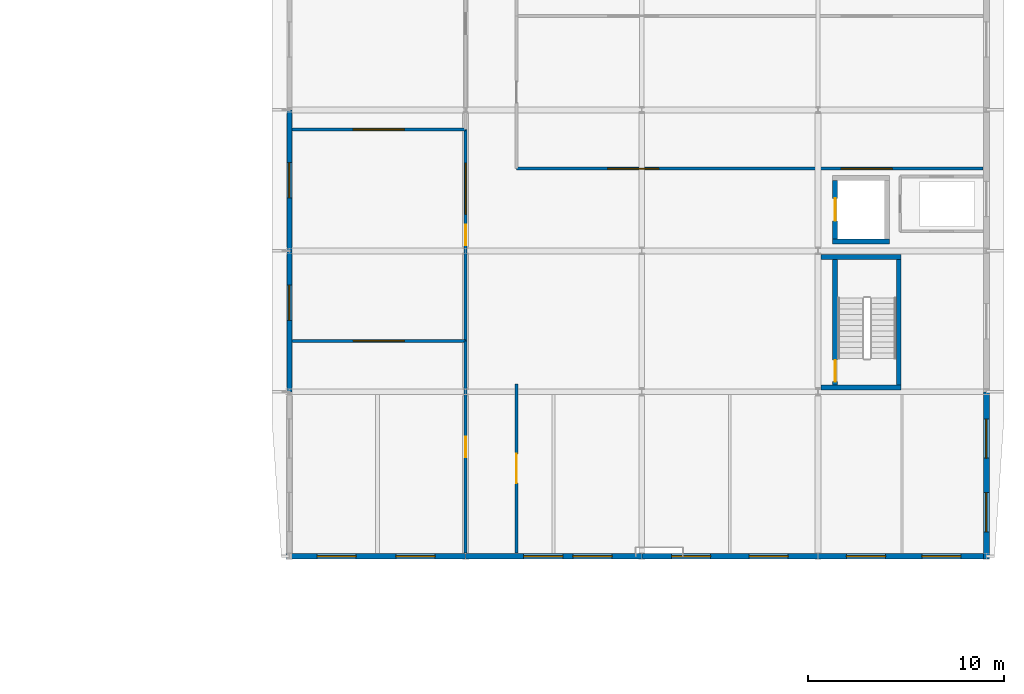
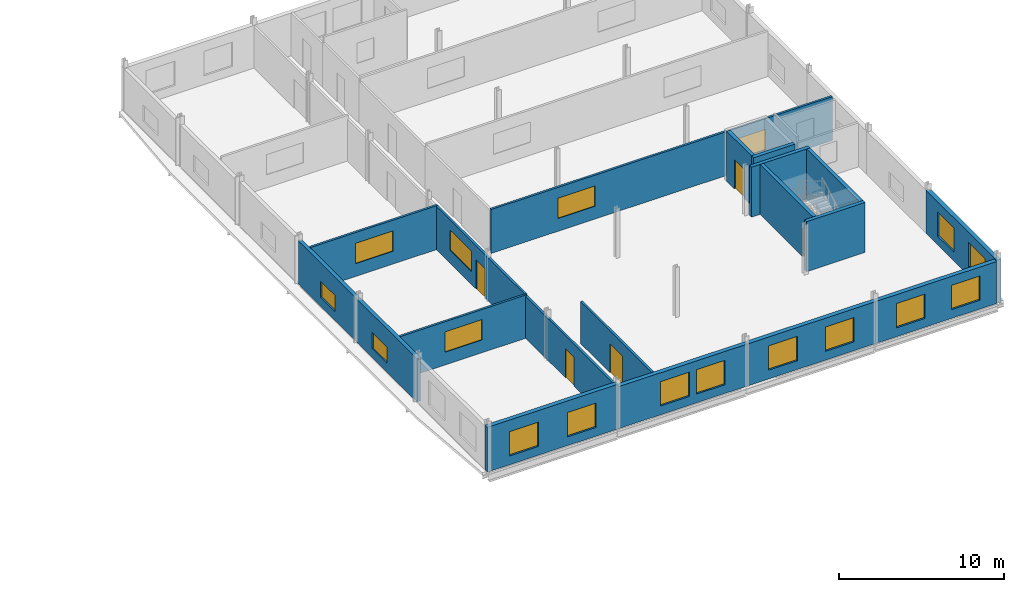
# One storey, part 24 of 30: 19 walls, 17 windows, 5 doors, 22 openings.
"""IFC4 building model written with IfcOpenShell, lengths in metres."""

from ifc_helpers import new_model, si_unit, direction, frame, frame_2d, origin, place, context, subcontext, project, spatial, rectangle, extrude, material, layer, layer_set, type_object, element, fill, save


model = new_model("IFC4")

# Units and contexts
model_context = context("Model", 3, precision=1e-05, world=origin(), true_north=direction((0.0, 1.0)))
body_context = subcontext(model_context, "Body", "Model", "MODEL_VIEW")
ifc_project = project(units=[si_unit("LENGTHUNIT", "METRE"), si_unit("AREAUNIT", "SQUARE_METRE"), si_unit("VOLUMEUNIT", "CUBIC_METRE"), si_unit("PLANEANGLEUNIT", "RADIAN"), si_unit("MASSUNIT", "GRAM", prefix="KILO")], contexts=[model_context])

# Site, building, storey
site_placement = place(None, origin())
site = spatial("IfcSite", under=ifc_project, at=site_placement, CompositionType="ELEMENT")
building_placement = place(site_placement, origin())
building = spatial("IfcBuilding", under=site, at=building_placement, Name="Vinh Khe Railworks Police Headquarters", CompositionType="ELEMENT")
storey_placement = place(building_placement, frame((0.0, 0.0, 21.0)))
storey = spatial("IfcBuildingStorey", under=building, at=storey_placement, Name="L05", CompositionType="ELEMENT", Elevation=21.0)

# Walls
ifc_material_1 = material(Name="Concrete C40/50 (B40)", Category="concrete")
ifc_layer_1 = layer(ifc_material_1, 0.25)
ifc_layer_set_1 = layer_set([ifc_layer_1], Name="Concrete C40/50 (B40)")
wall_type_1 = type_object("IfcWallType", Name="Core Shear Wall 250", PredefinedType="SHEAR", material=ifc_layer_set_1)
for number, where, z_axis, x_axis, name in (
    (1, (105.14990234375, 131.02490234375, 0.0), (0.0, 0.0, 1.0), (1.0, 0.0, 0.0), "Core C3 STAIR-S Shear Wall (L05)"),
    (2, (105.14990234375, 137.675048828125, 0.0), (0.0, 0.0, 1.0), (1.0, 0.0, 0.0), "Core C3 STAIR-N Shear Wall (L05)"),
):
    element("IfcWall", number, at=place(storey_placement, frame(where, z_axis=z_axis, x_axis=x_axis)), inside=storey, type_object=wall_type_1, Name=name, PredefinedType="SHEAR", context=body_context, shape_type="SweptSolid", body=[
        extrude(rectangle(XDim=4.10009765625, YDim=0.25, at=frame_2d((2.050048828125, 0.0))), origin(), (0.0, 0.0, 1.0), 3.699951171875),
    ])

# Wall, opening, door
wall_1_placement = place(storey_placement, frame((105.875, 131.14990234375, 0.0), z_axis=(0.0, 0.0, 1.0), x_axis=(0.0, 1.0, 0.0)))
wall_1 = element("IfcWall", 3, at=wall_1_placement, inside=storey, type_object=wall_type_1, Name="Core C3 STAIR-W Shear Wall (L05)", PredefinedType="SHEAR", context=body_context, shape_type="SweptSolid", body=[
    extrude(rectangle(XDim=6.400146484375, YDim=0.25, at=frame_2d((3.2001953125, 0.0))), origin(), (0.0, 0.0, 1.0), 3.699951171875),
])
opening_1_placement = place(wall_1_placement, frame((0.169921875, 0.0, 0.0)))
opening_1 = element("IfcOpeningElement", 4, at=opening_1_placement, cuts=wall_1, Name="Opening FD-01", PredefinedType="OPENING", context=body_context, shape_type="SweptSolid", body=[
    extrude(rectangle(XDim=1.10009765625, YDim=2.14990234375, at=frame_2d((0.550048828125, 1.074951171875))), frame((0.0, 0.139892578125, 0.0), z_axis=(0.0, -1.0, 0.0), x_axis=(1.0, 0.0, 0.0)), (0.0, 0.0, 1.0), 0.27978515625),
])
ifc_material_2 = material(Name="Painted galvanised steel", Category="steel")
door_type_1 = type_object("IfcDoorType", Name="FD-1100x2150", OperationType="NOTDEFINED", PredefinedType="DOOR", material=ifc_material_2)
door_1_placement = place(opening_1_placement, origin())
door_1 = element("IfcDoor", 5, at=door_1_placement, inside=storey, type_object=door_type_1, Name="Escape Stair ST-03 Fire Door L05", OperationType="SINGLE_SWING_RIGHT", OverallHeight=2.14990234375, OverallWidth=1.10009765625, PredefinedType="DOOR", context=body_context, shape_type="SweptSolid", body=[
    extrude(rectangle(XDim=1.10009765625, YDim=2.14990234375, at=frame_2d((0.550048828125, 1.074951171875))), frame((0.0, 0.02490234375, 0.0), z_axis=(0.0, -1.0, 0.0), x_axis=(1.0, 0.0, 0.0)), (0.0, 0.0, 1.0), 0.050048828125),
])
fill(opening_1, door_1)

# Walls
wall_2_placement = place(storey_placement, frame((109.125, 131.14990234375, 0.0), z_axis=(0.0, 0.0, 1.0), x_axis=(0.0, 1.0, 0.0)))
element("IfcWall", 6, at=wall_2_placement, inside=storey, type_object=wall_type_1, Name="Core C3 STAIR-E Shear Wall (L05)", PredefinedType="SHEAR", context=body_context, shape_type="SweptSolid", body=[
    extrude(rectangle(XDim=6.400146484375, YDim=0.25, at=frame_2d((3.2001953125, 0.0))), origin(), (0.0, 0.0, 1.0), 3.699951171875),
])
wall_3_placement = place(storey_placement, frame((105.75, 138.47509765625, 0.0), z_axis=(0.0, 0.0, 1.0), x_axis=(1.0, 0.0, 0.0)))
element("IfcWall", 7, at=wall_3_placement, inside=storey, type_object=wall_type_1, Name="Core C3 PL-S Lift Shaft Wall (L05)", PredefinedType="SHEAR", context=body_context, shape_type="SweptSolid", body=[
    extrude(rectangle(XDim=2.89990234375, YDim=0.25, at=frame_2d((1.449951171875, 0.0))), origin(), (0.0, 0.0, 1.0), 3.699951171875),
])

# Wall, opening, door
wall_4_placement = place(storey_placement, frame((105.875, 138.60009765625, 0.0), z_axis=(0.0, 0.0, 1.0), x_axis=(0.0, 1.0, 0.0)))
wall_4 = element("IfcWall", 8, at=wall_4_placement, inside=storey, type_object=wall_type_1, Name="Core C3 PL-W Lift Shaft Wall (L05)", PredefinedType="SHEAR", context=body_context, shape_type="SweptSolid", body=[
    extrude(rectangle(XDim=3.0, YDim=0.25, at=frame_2d((1.5, 0.0))), origin(), (0.0, 0.0, 1.0), 3.699951171875),
])
opening_2_placement = place(wall_4_placement, frame((0.925048828125, 0.0, 0.0)))
opening_2 = element("IfcOpeningElement", 9, at=opening_2_placement, cuts=wall_4, Name="Opening LD-03", PredefinedType="OPENING", context=body_context, shape_type="SweptSolid", body=[
    extrude(rectangle(XDim=1.14990234375, YDim=2.14990234375, at=frame_2d((0.574951171875, 1.074951171875))), frame((0.0, 0.139892578125, 0.0), z_axis=(0.0, -1.0, 0.0), x_axis=(1.0, 0.0, 0.0)), (0.0, 0.0, 1.0), 0.27978515625),
])
door_type_2 = type_object("IfcDoorType", Name="LD-CUST-1150", OperationType="SLIDING_TO_LEFT", PredefinedType="DOOR", material=ifc_material_2)
door_2_placement = place(opening_2_placement, origin())
door_2 = element("IfcDoor", 10, at=door_2_placement, inside=storey, type_object=door_type_2, Name="Lift Landing Door PL-03 L05", OperationType="SLIDING_TO_LEFT", OverallHeight=2.14990234375, OverallWidth=1.14990234375, PredefinedType="DOOR", context=body_context, shape_type="SweptSolid", body=[
    extrude(rectangle(XDim=1.14990234375, YDim=2.14990234375, at=frame_2d((0.574951171875, 1.074951171875))), frame((0.0, 0.02490234375, 0.0), z_axis=(0.0, -1.0, 0.0), x_axis=(1.0, 0.0, 0.0)), (0.0, 0.0, 1.0), 0.050048828125),
])
fill(opening_2, door_2)

# Wall, opening, window
ifc_material_3 = material(Name="Clay brickwork", Category="masonry")
ifc_layer_2 = layer(ifc_material_3, 0.260009765625)
ifc_layer_set_2 = layer_set([ifc_layer_2], Name="Clay brickwork")
wall_type_2 = type_object("IfcWallType", Name="EW-BRK-260", PredefinedType="SOLIDWALL", material=ifc_layer_set_2)
wall_5_placement = place(storey_placement, frame((78.0, 130.800048828125, 0.0), z_axis=(0.0, 0.0, 1.0), x_axis=(0.0, 1.0, 0.0)))
wall_5 = element("IfcWall", 11, at=wall_5_placement, inside=storey, type_object=wall_type_2, Name="Exterior Brick Wall EW-L05-V6W-02", PredefinedType="SOLIDWALL", context=body_context, shape_type="SweptSolid", body=[
    extrude(rectangle(XDim=7.199951171875, YDim=0.260009765625, at=frame_2d((3.60009765625, 0.0))), origin(), (0.0, 0.0, 1.0), 3.195068359375),
])
opening_3_placement = place(wall_5_placement, frame((3.64990234375, 0.0, 0.64990234375)))
opening_3 = element("IfcOpeningElement", 12, at=opening_3_placement, cuts=wall_5, Name="Opening WN-08", PredefinedType="OPENING", context=body_context, shape_type="SweptSolid", body=[
    extrude(rectangle(XDim=1.800048828125, YDim=1.199951171875, at=frame_2d((0.89990234375, 0.60009765625))), frame((0.0, 0.14501953125, 0.0), z_axis=(0.0, -1.0, 0.0), x_axis=(1.0, 0.0, 0.0)), (0.0, 0.0, 1.0), 0.289794921875),
])
ifc_material_4 = material(Name="Double-glazed solar-control glass in dark steel frame", Category="steel")
window_type_1 = type_object("IfcWindowType", Name="WIN-WN-08", PartitioningType="SINGLE_PANEL", PredefinedType="WINDOW", material=ifc_material_4)
window_1_placement = place(opening_3_placement, origin())
window_1 = element("IfcWindow", 13, at=window_1_placement, inside=storey, type_object=window_type_1, Name="Casement Window WN-08", OverallHeight=1.199951171875, OverallWidth=1.800048828125, PartitioningType="SINGLE_PANEL", PredefinedType="WINDOW", context=body_context, shape_type="SweptSolid", body=[
    extrude(rectangle(XDim=1.800048828125, YDim=1.199951171875, at=frame_2d((0.89990234375, 0.60009765625))), frame((0.0, 0.030029296875, 0.0), z_axis=(0.0, -1.0, 0.0), x_axis=(1.0, 0.0, 0.0)), (0.0, 0.0, 1.0), 0.06005859375),
])
fill(opening_3, window_1)

wall_6_placement = place(storey_placement, frame((78.0, 138.0, 0.0), z_axis=(0.0, 0.0, 1.0), x_axis=(0.0, 1.0, 0.0)))
wall_6 = element("IfcWall", 14, at=wall_6_placement, inside=storey, type_object=wall_type_2, Name="Exterior Brick Wall EW-L05-V6W-03", PredefinedType="SOLIDWALL", context=body_context, shape_type="SweptSolid", body=[
    extrude(rectangle(XDim=7.199951171875, YDim=0.260009765625, at=frame_2d((3.60009765625, 0.0))), origin(), (0.0, 0.0, 1.0), 3.195068359375),
])
opening_4_placement = place(wall_6_placement, frame((2.699951171875, 0.0, 0.64990234375)))
opening_4 = element("IfcOpeningElement", 15, at=opening_4_placement, cuts=wall_6, Name="Opening WN-08", PredefinedType="OPENING", context=body_context, shape_type="SweptSolid", body=[
    extrude(rectangle(XDim=1.800048828125, YDim=1.199951171875, at=frame_2d((0.89990234375, 0.60009765625))), frame((0.0, 0.14501953125, 0.0), z_axis=(0.0, -1.0, 0.0), x_axis=(1.0, 0.0, 0.0)), (0.0, 0.0, 1.0), 0.289794921875),
])
window_2_placement = place(opening_4_placement, origin())
window_2 = element("IfcWindow", 16, at=window_2_placement, inside=storey, type_object=window_type_1, Name="Casement Window WN-08", OverallHeight=1.199951171875, OverallWidth=1.800048828125, PartitioningType="SINGLE_PANEL", PredefinedType="WINDOW", context=body_context, shape_type="SweptSolid", body=[
    extrude(rectangle(XDim=1.800048828125, YDim=1.199951171875, at=frame_2d((0.89990234375, 0.60009765625))), frame((0.0, 0.030029296875, 0.0), z_axis=(0.0, -1.0, 0.0), x_axis=(1.0, 0.0, 0.0)), (0.0, 0.0, 1.0), 0.06005859375),
])
fill(opening_4, window_2)

# Wall, openings, windows
ifc_layer_3 = layer(ifc_material_3, 0.300048828125)
ifc_layer_set_3 = layer_set([ifc_layer_3], Name="Clay brickwork")
wall_type_3 = type_object("IfcWallType", Name="EW-BRK-300", PredefinedType="SOLIDWALL", material=ifc_layer_set_3)
wall_7_placement = place(storey_placement, frame((113.60009765625, 122.25, 0.0), z_axis=(0.0, 0.0, 1.0), x_axis=(0.0, 1.0, 0.0)))
wall_7 = element("IfcWall", 17, at=wall_7_placement, inside=storey, type_object=wall_type_3, Name="Exterior Brick Wall EW-L05-V6E-01", PredefinedType="SOLIDWALL", context=body_context, shape_type="SweptSolid", body=[
    extrude(rectangle(XDim=8.550048828125, YDim=0.300048828125, at=frame_2d((4.27490234375, 0.0))), origin(), (0.0, 0.0, 1.0), 3.195068359375),
])
opening_5_placement = place(wall_7_placement, frame((1.39404296875, 0.0, 0.64990234375)))
opening_5 = element("IfcOpeningElement", 18, at=opening_5_placement, cuts=wall_7, Name="Opening WN-04", PredefinedType="OPENING", context=body_context, shape_type="SweptSolid", body=[
    extrude(rectangle(XDim=2.0, YDim=1.800048828125, at=frame_2d((1.0, 0.89990234375))), frame((0.0, 0.1650390625, 0.0), z_axis=(0.0, -1.0, 0.0), x_axis=(1.0, 0.0, 0.0)), (0.0, 0.0, 1.0), 0.329833984375),
])
opening_6_placement = place(wall_7_placement, frame((5.156005859375, 0.0, 0.64990234375)))
opening_6 = element("IfcOpeningElement", 19, at=opening_6_placement, cuts=wall_7, Name="Opening WN-04", PredefinedType="OPENING", context=body_context, shape_type="SweptSolid", body=[
    extrude(rectangle(XDim=2.0, YDim=1.800048828125, at=frame_2d((1.0, 0.89990234375))), frame((0.0, 0.1650390625, 0.0), z_axis=(0.0, -1.0, 0.0), x_axis=(1.0, 0.0, 0.0)), (0.0, 0.0, 1.0), 0.329833984375),
])
window_type_2 = type_object("IfcWindowType", Name="WIN-WN-04", PartitioningType="DOUBLE_PANEL_VERTICAL", PredefinedType="WINDOW", material=ifc_material_4)
window_3_placement = place(opening_5_placement, origin())
window_3 = element("IfcWindow", 20, at=window_3_placement, inside=storey, type_object=window_type_2, Name="Casement Window WN-04", OverallHeight=1.800048828125, OverallWidth=2.0, PartitioningType="SINGLE_PANEL", PredefinedType="WINDOW", context=body_context, shape_type="SweptSolid", body=[
    extrude(rectangle(XDim=2.0, YDim=1.800048828125, at=frame_2d((1.0, 0.89990234375))), frame((0.0, 0.030029296875, 0.0), z_axis=(0.0, -1.0, 0.0), x_axis=(1.0, 0.0, 0.0)), (0.0, 0.0, 1.0), 0.06005859375),
])
fill(opening_5, window_3)
window_4_placement = place(opening_6_placement, origin())
window_4 = element("IfcWindow", 21, at=window_4_placement, inside=storey, type_object=window_type_2, Name="Casement Window WN-04", OverallHeight=1.800048828125, OverallWidth=2.0, PartitioningType="SINGLE_PANEL", PredefinedType="WINDOW", context=body_context, shape_type="SweptSolid", body=[
    extrude(rectangle(XDim=2.0, YDim=1.800048828125, at=frame_2d((1.0, 0.89990234375))), frame((0.0, 0.030029296875, 0.0), z_axis=(0.0, -1.0, 0.0), x_axis=(1.0, 0.0, 0.0)), (0.0, 0.0, 1.0), 0.06005859375),
])
fill(opening_6, window_4)

wall_8_placement = place(storey_placement, frame((77.85009765625, 122.39990234375, 0.0), z_axis=(0.0, 0.0, 1.0), x_axis=(1.0, 0.0, 0.0)))
wall_8 = element("IfcWall", 22, at=wall_8_placement, inside=storey, type_object=wall_type_3, Name="Exterior Brick Wall EW-L05-V6S-01", PredefinedType="SOLIDWALL", context=body_context, shape_type="SweptSolid", body=[
    extrude(rectangle(XDim=9.14990234375, YDim=0.300048828125, at=frame_2d((4.574951171875, 0.0))), origin(), (0.0, 0.0, 1.0), 3.304931640625),
])
opening_7_placement = place(wall_8_placement, frame((1.56201171875, 0.0, 0.64990234375)))
opening_7 = element("IfcOpeningElement", 23, at=opening_7_placement, cuts=wall_8, Name="Opening WN-04", PredefinedType="OPENING", context=body_context, shape_type="SweptSolid", body=[
    extrude(rectangle(XDim=2.0, YDim=1.800048828125, at=frame_2d((1.0, 0.89990234375))), frame((0.0, 0.1650390625, 0.0), z_axis=(0.0, -1.0, 0.0), x_axis=(1.0, 0.0, 0.0)), (0.0, 0.0, 1.0), 0.329833984375),
])
opening_8_placement = place(wall_8_placement, frame((5.587890625, 0.0, 0.64990234375)))
opening_8 = element("IfcOpeningElement", 24, at=opening_8_placement, cuts=wall_8, Name="Opening WN-04", PredefinedType="OPENING", context=body_context, shape_type="SweptSolid", body=[
    extrude(rectangle(XDim=2.0, YDim=1.800048828125, at=frame_2d((1.0, 0.89990234375))), frame((0.0, 0.1650390625, 0.0), z_axis=(0.0, -1.0, 0.0), x_axis=(1.0, 0.0, 0.0)), (0.0, 0.0, 1.0), 0.329833984375),
])
window_5_placement = place(opening_7_placement, origin())
window_5 = element("IfcWindow", 25, at=window_5_placement, inside=storey, type_object=window_type_2, Name="Casement Window WN-04", OverallHeight=1.800048828125, OverallWidth=2.0, PartitioningType="SINGLE_PANEL", PredefinedType="WINDOW", context=body_context, shape_type="SweptSolid", body=[
    extrude(rectangle(XDim=2.0, YDim=1.800048828125, at=frame_2d((1.0, 0.89990234375))), frame((0.0, 0.030029296875, 0.0), z_axis=(0.0, -1.0, 0.0), x_axis=(1.0, 0.0, 0.0)), (0.0, 0.0, 1.0), 0.06005859375),
])
fill(opening_7, window_5)
window_6_placement = place(opening_8_placement, origin())
window_6 = element("IfcWindow", 26, at=window_6_placement, inside=storey, type_object=window_type_2, Name="Casement Window WN-04", OverallHeight=1.800048828125, OverallWidth=2.0, PartitioningType="SINGLE_PANEL", PredefinedType="WINDOW", context=body_context, shape_type="SweptSolid", body=[
    extrude(rectangle(XDim=2.0, YDim=1.800048828125, at=frame_2d((1.0, 0.89990234375))), frame((0.0, 0.030029296875, 0.0), z_axis=(0.0, -1.0, 0.0), x_axis=(1.0, 0.0, 0.0)), (0.0, 0.0, 1.0), 0.06005859375),
])
fill(opening_8, window_6)

wall_9_placement = place(storey_placement, frame((87.0, 122.39990234375, 0.0), z_axis=(0.0, 0.0, 1.0), x_axis=(1.0, 0.0, 0.0)))
wall_9 = element("IfcWall", 27, at=wall_9_placement, inside=storey, type_object=wall_type_3, Name="Exterior Brick Wall EW-L05-V6S-02", PredefinedType="SOLIDWALL", context=body_context, shape_type="SweptSolid", body=[
    extrude(rectangle(XDim=9.0, YDim=0.300048828125, at=frame_2d((4.5, 0.0))), origin(), (0.0, 0.0, 1.0), 3.10498046875),
])
opening_9_placement = place(wall_9_placement, frame((2.969970703125, 0.0, 0.64990234375)))
opening_9 = element("IfcOpeningElement", 28, at=opening_9_placement, cuts=wall_9, Name="Opening WN-04", PredefinedType="OPENING", context=body_context, shape_type="SweptSolid", body=[
    extrude(rectangle(XDim=2.0, YDim=1.800048828125, at=frame_2d((1.0, 0.89990234375))), frame((0.0, 0.1650390625, 0.0), z_axis=(0.0, -1.0, 0.0), x_axis=(1.0, 0.0, 0.0)), (0.0, 0.0, 1.0), 0.329833984375),
])
opening_10_placement = place(wall_9_placement, frame((5.47998046875, 0.0, 0.64990234375)))
opening_10 = element("IfcOpeningElement", 29, at=opening_10_placement, cuts=wall_9, Name="Opening WN-04", PredefinedType="OPENING", context=body_context, shape_type="SweptSolid", body=[
    extrude(rectangle(XDim=2.0, YDim=1.800048828125, at=frame_2d((1.0, 0.89990234375))), frame((0.0, 0.1650390625, 0.0), z_axis=(0.0, -1.0, 0.0), x_axis=(1.0, 0.0, 0.0)), (0.0, 0.0, 1.0), 0.329833984375),
])
window_7_placement = place(opening_9_placement, origin())
window_7 = element("IfcWindow", 30, at=window_7_placement, inside=storey, type_object=window_type_2, Name="Casement Window WN-04", OverallHeight=1.800048828125, OverallWidth=2.0, PartitioningType="SINGLE_PANEL", PredefinedType="WINDOW", context=body_context, shape_type="SweptSolid", body=[
    extrude(rectangle(XDim=2.0, YDim=1.800048828125, at=frame_2d((1.0, 0.89990234375))), frame((0.0, 0.030029296875, 0.0), z_axis=(0.0, -1.0, 0.0), x_axis=(1.0, 0.0, 0.0)), (0.0, 0.0, 1.0), 0.06005859375),
])
fill(opening_9, window_7)
window_8_placement = place(opening_10_placement, origin())
window_8 = element("IfcWindow", 31, at=window_8_placement, inside=storey, type_object=window_type_2, Name="Casement Window WN-04", OverallHeight=1.800048828125, OverallWidth=2.0, PartitioningType="SINGLE_PANEL", PredefinedType="WINDOW", context=body_context, shape_type="SweptSolid", body=[
    extrude(rectangle(XDim=2.0, YDim=1.800048828125, at=frame_2d((1.0, 0.89990234375))), frame((0.0, 0.030029296875, 0.0), z_axis=(0.0, -1.0, 0.0), x_axis=(1.0, 0.0, 0.0)), (0.0, 0.0, 1.0), 0.06005859375),
])
fill(opening_10, window_8)

wall_10_placement = place(storey_placement, frame((96.0, 122.39990234375, 0.0), z_axis=(0.0, 0.0, 1.0), x_axis=(1.0, 0.0, 0.0)))
wall_10 = element("IfcWall", 32, at=wall_10_placement, inside=storey, type_object=wall_type_3, Name="Exterior Brick Wall EW-L05-V6S-03", PredefinedType="SOLIDWALL", context=body_context, shape_type="SweptSolid", body=[
    extrude(rectangle(XDim=9.0, YDim=0.300048828125, at=frame_2d((4.5, 0.0))), origin(), (0.0, 0.0, 1.0), 3.10498046875),
])
opening_11_placement = place(wall_10_placement, frame((1.52001953125, 0.0, 0.64990234375)))
opening_11 = element("IfcOpeningElement", 33, at=opening_11_placement, cuts=wall_10, Name="Opening WN-04", PredefinedType="OPENING", context=body_context, shape_type="SweptSolid", body=[
    extrude(rectangle(XDim=2.0, YDim=1.800048828125, at=frame_2d((1.0, 0.89990234375))), frame((0.0, 0.1650390625, 0.0), z_axis=(0.0, -1.0, 0.0), x_axis=(1.0, 0.0, 0.0)), (0.0, 0.0, 1.0), 0.329833984375),
])
opening_12_placement = place(wall_10_placement, frame((5.47998046875, 0.0, 0.64990234375)))
opening_12 = element("IfcOpeningElement", 34, at=opening_12_placement, cuts=wall_10, Name="Opening WN-04", PredefinedType="OPENING", context=body_context, shape_type="SweptSolid", body=[
    extrude(rectangle(XDim=2.0, YDim=1.800048828125, at=frame_2d((1.0, 0.89990234375))), frame((0.0, 0.1650390625, 0.0), z_axis=(0.0, -1.0, 0.0), x_axis=(1.0, 0.0, 0.0)), (0.0, 0.0, 1.0), 0.329833984375),
])
window_9_placement = place(opening_11_placement, origin())
window_9 = element("IfcWindow", 35, at=window_9_placement, inside=storey, type_object=window_type_2, Name="Casement Window WN-04", OverallHeight=1.800048828125, OverallWidth=2.0, PartitioningType="SINGLE_PANEL", PredefinedType="WINDOW", context=body_context, shape_type="SweptSolid", body=[
    extrude(rectangle(XDim=2.0, YDim=1.800048828125, at=frame_2d((1.0, 0.89990234375))), frame((0.0, 0.030029296875, 0.0), z_axis=(0.0, -1.0, 0.0), x_axis=(1.0, 0.0, 0.0)), (0.0, 0.0, 1.0), 0.06005859375),
])
fill(opening_11, window_9)
window_10_placement = place(opening_12_placement, origin())
window_10 = element("IfcWindow", 36, at=window_10_placement, inside=storey, type_object=window_type_2, Name="Casement Window WN-04", OverallHeight=1.800048828125, OverallWidth=2.0, PartitioningType="SINGLE_PANEL", PredefinedType="WINDOW", context=body_context, shape_type="SweptSolid", body=[
    extrude(rectangle(XDim=2.0, YDim=1.800048828125, at=frame_2d((1.0, 0.89990234375))), frame((0.0, 0.030029296875, 0.0), z_axis=(0.0, -1.0, 0.0), x_axis=(1.0, 0.0, 0.0)), (0.0, 0.0, 1.0), 0.06005859375),
])
fill(opening_12, window_10)

wall_11_placement = place(storey_placement, frame((105.0, 122.39990234375, 0.0), z_axis=(0.0, 0.0, 1.0), x_axis=(1.0, 0.0, 0.0)))
wall_11 = element("IfcWall", 37, at=wall_11_placement, inside=storey, type_object=wall_type_3, Name="Exterior Brick Wall EW-L05-V6S-04", PredefinedType="SOLIDWALL", context=body_context, shape_type="SweptSolid", body=[
    extrude(rectangle(XDim=8.75, YDim=0.300048828125, at=frame_2d((4.375, 0.0))), origin(), (0.0, 0.0, 1.0), 3.10498046875),
])
opening_13_placement = place(wall_11_placement, frame((1.449951171875, 0.0, 0.64990234375)))
opening_13 = element("IfcOpeningElement", 38, at=opening_13_placement, cuts=wall_11, Name="Opening WN-04", PredefinedType="OPENING", context=body_context, shape_type="SweptSolid", body=[
    extrude(rectangle(XDim=2.0, YDim=1.800048828125, at=frame_2d((1.0, 0.89990234375))), frame((0.0, 0.1650390625, 0.0), z_axis=(0.0, -1.0, 0.0), x_axis=(1.0, 0.0, 0.0)), (0.0, 0.0, 1.0), 0.329833984375),
])
opening_14_placement = place(wall_11_placement, frame((5.300048828125, 0.0, 0.64990234375)))
opening_14 = element("IfcOpeningElement", 39, at=opening_14_placement, cuts=wall_11, Name="Opening WN-04", PredefinedType="OPENING", context=body_context, shape_type="SweptSolid", body=[
    extrude(rectangle(XDim=2.0, YDim=1.800048828125, at=frame_2d((1.0, 0.89990234375))), frame((0.0, 0.1650390625, 0.0), z_axis=(0.0, -1.0, 0.0), x_axis=(1.0, 0.0, 0.0)), (0.0, 0.0, 1.0), 0.329833984375),
])
window_11_placement = place(opening_13_placement, origin())
window_11 = element("IfcWindow", 40, at=window_11_placement, inside=storey, type_object=window_type_2, Name="Casement Window WN-04", OverallHeight=1.800048828125, OverallWidth=2.0, PartitioningType="SINGLE_PANEL", PredefinedType="WINDOW", context=body_context, shape_type="SweptSolid", body=[
    extrude(rectangle(XDim=2.0, YDim=1.800048828125, at=frame_2d((1.0, 0.89990234375))), frame((0.0, 0.030029296875, 0.0), z_axis=(0.0, -1.0, 0.0), x_axis=(1.0, 0.0, 0.0)), (0.0, 0.0, 1.0), 0.06005859375),
])
fill(opening_13, window_11)
window_12_placement = place(opening_14_placement, origin())
window_12 = element("IfcWindow", 41, at=window_12_placement, inside=storey, type_object=window_type_2, Name="Casement Window WN-04", OverallHeight=1.800048828125, OverallWidth=2.0, PartitioningType="SINGLE_PANEL", PredefinedType="WINDOW", context=body_context, shape_type="SweptSolid", body=[
    extrude(rectangle(XDim=2.0, YDim=1.800048828125, at=frame_2d((1.0, 0.89990234375))), frame((0.0, 0.030029296875, 0.0), z_axis=(0.0, -1.0, 0.0), x_axis=(1.0, 0.0, 0.0)), (0.0, 0.0, 1.0), 0.06005859375),
])
fill(opening_14, window_12)

# Wall, opening, window
ifc_material_5 = material(Name="Gypsum plasterboard on steel stud", Category="steel")
ifc_layer_4 = layer(ifc_material_5, 0.1201171875)
ifc_layer_set_4 = layer_set([ifc_layer_4], Name="Gypsum plasterboard on steel stud")
wall_type_4 = type_object("IfcWallType", Name="IW-PART-120", PredefinedType="PARTITIONING", material=ifc_layer_set_4)
wall_12_placement = place(storey_placement, frame((78.139892578125, 133.39990234375, 0.0), z_axis=(0.0, 0.0, 1.0), x_axis=(1.0, 0.0, 0.0)))
wall_12 = element("IfcWall", 42, at=wall_12_placement, inside=storey, type_object=wall_type_4, Name="Interior Partition W-L05-V6B-MOB2-DIV", PredefinedType="PARTITIONING", context=body_context, shape_type="SweptSolid", body=[
    extrude(rectangle(XDim=8.860107421875, YDim=0.14990234375, at=frame_2d((4.43017578125, 0.0))), origin(), (0.0, 0.0, 1.0), 3.195068359375),
])
opening_15_placement = place(wall_12_placement, frame((3.1298828125, 0.0, 0.949951171875)))
opening_15 = element("IfcOpeningElement", 43, at=opening_15_placement, cuts=wall_12, Name="Opening WN-07", PredefinedType="OPENING", context=body_context, shape_type="SweptSolid", body=[
    extrude(rectangle(XDim=2.60009765625, YDim=1.5, at=frame_2d((1.300048828125, 0.75))), frame((0.0, 0.08984375, 0.0), z_axis=(0.0, -1.0, 0.0), x_axis=(1.0, 0.0, 0.0)), (0.0, 0.0, 1.0), 0.1796875),
])
window_type_3 = type_object("IfcWindowType", Name="WIN-WN-07", PartitioningType="DOUBLE_PANEL_HORIZONTAL", PredefinedType="WINDOW", material=ifc_material_4)
window_13_placement = place(opening_15_placement, origin())
window_13 = element("IfcWindow", 44, at=window_13_placement, inside=storey, type_object=window_type_3, Name="Interior Acoustic Vision Window WN-07", OverallHeight=1.5, OverallWidth=2.60009765625, PartitioningType="SINGLE_PANEL", PredefinedType="WINDOW", context=body_context, shape_type="SweptSolid", body=[
    extrude(rectangle(XDim=2.60009765625, YDim=1.5, at=frame_2d((1.300048828125, 0.75))), frame((0.0, 0.030029296875, 0.0), z_axis=(0.0, -1.0, 0.0), x_axis=(1.0, 0.0, 0.0)), (0.0, 0.0, 1.0), 0.06005859375),
])
fill(opening_15, window_13)

wall_13_placement = place(storey_placement, frame((78.139892578125, 144.199951171875, 0.0), z_axis=(0.0, 0.0, 1.0), x_axis=(1.0, 0.0, 0.0)))
wall_13 = element("IfcWall", 45, at=wall_13_placement, inside=storey, type_object=wall_type_4, Name="Interior Partition W-L05-V6B-FQA-DIV", PredefinedType="PARTITIONING", context=body_context, shape_type="SweptSolid", body=[
    extrude(rectangle(XDim=8.860107421875, YDim=0.14990234375, at=frame_2d((4.43017578125, 0.0))), origin(), (0.0, 0.0, 1.0), 3.2451171875),
])
opening_16_placement = place(wall_13_placement, frame((3.1298828125, 0.0, 0.949951171875)))
opening_16 = element("IfcOpeningElement", 46, at=opening_16_placement, cuts=wall_13, Name="Opening WN-07", PredefinedType="OPENING", context=body_context, shape_type="SweptSolid", body=[
    extrude(rectangle(XDim=2.60009765625, YDim=1.5, at=frame_2d((1.300048828125, 0.75))), frame((0.0, 0.08984375, 0.0), z_axis=(0.0, -1.0, 0.0), x_axis=(1.0, 0.0, 0.0)), (0.0, 0.0, 1.0), 0.1796875),
])
window_14_placement = place(opening_16_placement, origin())
window_14 = element("IfcWindow", 47, at=window_14_placement, inside=storey, type_object=window_type_3, Name="Interior Acoustic Vision Window WN-07", OverallHeight=1.5, OverallWidth=2.60009765625, PartitioningType="SINGLE_PANEL", PredefinedType="WINDOW", context=body_context, shape_type="SweptSolid", body=[
    extrude(rectangle(XDim=2.60009765625, YDim=1.5, at=frame_2d((1.300048828125, 0.75))), frame((0.0, 0.030029296875, 0.0), z_axis=(0.0, -1.0, 0.0), x_axis=(1.0, 0.0, 0.0)), (0.0, 0.0, 1.0), 0.06005859375),
])
fill(opening_16, window_14)

# Wall, openings, windows
wall_14_placement = place(storey_placement, frame((89.60009765625, 142.199951171875, 0.0), z_axis=(0.0, 0.0, 1.0), x_axis=(1.0, 0.0, 0.0)))
wall_14 = element("IfcWall", 48, at=wall_14_placement, inside=storey, type_object=wall_type_4, Name="Interior Partition W-L05-V6B-ASSM1-DIV", PredefinedType="PARTITIONING", context=body_context, shape_type="SweptSolid", body=[
    extrude(rectangle(XDim=23.83984375, YDim=0.14990234375, at=frame_2d((11.919921875, 0.0))), origin(), (0.0, 0.0, 1.0), 3.2451171875),
])
opening_17_placement = place(wall_14_placement, frame((4.659912109375, 0.0, 0.949951171875)))
opening_17 = element("IfcOpeningElement", 49, at=opening_17_placement, cuts=wall_14, Name="Opening WN-07", PredefinedType="OPENING", context=body_context, shape_type="SweptSolid", body=[
    extrude(rectangle(XDim=2.60009765625, YDim=1.5, at=frame_2d((1.300048828125, 0.75))), frame((0.0, 0.08984375, 0.0), z_axis=(0.0, -1.0, 0.0), x_axis=(1.0, 0.0, 0.0)), (0.0, 0.0, 1.0), 0.1796875),
])
opening_18_placement = place(wall_14_placement, frame((16.580078125, 0.0, 0.949951171875)))
opening_18 = element("IfcOpeningElement", 50, at=opening_18_placement, cuts=wall_14, Name="Opening WN-07", PredefinedType="OPENING", context=body_context, shape_type="SweptSolid", body=[
    extrude(rectangle(XDim=2.60009765625, YDim=1.5, at=frame_2d((1.300048828125, 0.75))), frame((0.0, 0.08984375, 0.0), z_axis=(0.0, -1.0, 0.0), x_axis=(1.0, 0.0, 0.0)), (0.0, 0.0, 1.0), 0.1796875),
])
window_15_placement = place(opening_17_placement, origin())
window_15 = element("IfcWindow", 51, at=window_15_placement, inside=storey, type_object=window_type_3, Name="Interior Acoustic Vision Window WN-07", OverallHeight=1.5, OverallWidth=2.60009765625, PartitioningType="SINGLE_PANEL", PredefinedType="WINDOW", context=body_context, shape_type="SweptSolid", body=[
    extrude(rectangle(XDim=2.60009765625, YDim=1.5, at=frame_2d((1.300048828125, 0.75))), frame((0.0, 0.030029296875, 0.0), z_axis=(0.0, -1.0, 0.0), x_axis=(1.0, 0.0, 0.0)), (0.0, 0.0, 1.0), 0.06005859375),
])
fill(opening_17, window_15)
window_16_placement = place(opening_18_placement, origin())
window_16 = element("IfcWindow", 52, at=window_16_placement, inside=storey, type_object=window_type_3, Name="Interior Acoustic Vision Window WN-07", OverallHeight=1.5, OverallWidth=2.60009765625, PartitioningType="SINGLE_PANEL", PredefinedType="WINDOW", context=body_context, shape_type="SweptSolid", body=[
    extrude(rectangle(XDim=2.60009765625, YDim=1.5, at=frame_2d((1.300048828125, 0.75))), frame((0.0, 0.030029296875, 0.0), z_axis=(0.0, -1.0, 0.0), x_axis=(1.0, 0.0, 0.0)), (0.0, 0.0, 1.0), 0.06005859375),
])
fill(opening_18, window_16)

# Wall, opening, door
ifc_material_6 = material(Name="Gypsum plasterboard on acoustic steel stud", Category="steel")
ifc_layer_5 = layer(ifc_material_6, 0.14990234375)
ifc_layer_set_5 = layer_set([ifc_layer_5], Name="Gypsum plasterboard on acoustic steel stud")
wall_type_5 = type_object("IfcWallType", Name="IW-PART-150", PredefinedType="PARTITIONING", material=ifc_layer_set_5)
wall_15_placement = place(storey_placement, frame((87.0, 122.56005859375, 0.0), z_axis=(0.0, 0.0, 1.0), x_axis=(0.0, 1.0, 0.0)))
wall_15 = element("IfcWall", 53, at=wall_15_placement, inside=storey, type_object=wall_type_5, Name="Interior Partition W-L05-V6B-MOB1-CW", PredefinedType="PARTITIONING", context=body_context, shape_type="SweptSolid", body=[
    extrude(rectangle(XDim=10.83984375, YDim=0.14990234375, at=frame_2d((5.419921875, 0.0))), origin(), (0.0, 0.0, 1.0), 3.10498046875),
])
opening_19_placement = place(wall_15_placement, frame((4.89501953125, 0.0, 0.0)))
opening_19 = element("IfcOpeningElement", 54, at=opening_19_placement, cuts=wall_15, Name="Opening D-02", PredefinedType="OPENING", context=body_context, shape_type="SweptSolid", body=[
    extrude(rectangle(XDim=1.050048828125, YDim=2.14990234375, at=frame_2d((0.52490234375, 1.074951171875))), frame((0.0, 0.08984375, 0.0), z_axis=(0.0, -1.0, 0.0), x_axis=(1.0, 0.0, 0.0)), (0.0, 0.0, 1.0), 0.1796875),
])
ifc_material_7 = material(Name="Seasoned hardwood timber", Category="wood")
door_type_3 = type_object("IfcDoorType", Name="ID-1050x2150", OperationType="NOTDEFINED", PredefinedType="DOOR", material=ifc_material_7)
door_3_placement = place(opening_19_placement, origin())
door_3 = element("IfcDoor", 55, at=door_3_placement, inside=storey, type_object=door_type_3, Name="Mobile Device Extraction Lab A Door", OperationType="SINGLE_SWING_LEFT", OverallHeight=2.14990234375, OverallWidth=1.050048828125, PredefinedType="DOOR", context=body_context, shape_type="SweptSolid", body=[
    extrude(rectangle(XDim=1.050048828125, YDim=2.14990234375, at=frame_2d((0.52490234375, 1.074951171875))), frame((0.0, 0.02490234375, 0.0), z_axis=(0.0, -1.0, 0.0), x_axis=(1.0, 0.0, 0.0)), (0.0, 0.0, 1.0), 0.050048828125),
])
fill(opening_19, door_3)

# Wall, openings, door, window
wall_16_placement = place(storey_placement, frame((87.0, 133.39990234375, 0.0), z_axis=(0.0, 0.0, 1.0), x_axis=(0.0, 1.0, 0.0)))
wall_16 = element("IfcWall", 56, at=wall_16_placement, inside=storey, type_object=wall_type_5, Name="Interior Partition W-L05-V6B-MOB2-CW", PredefinedType="PARTITIONING", context=body_context, shape_type="SweptSolid", body=[
    extrude(rectangle(XDim=10.800048828125, YDim=0.14990234375, at=frame_2d((5.39990234375, 0.0))), origin(), (0.0, 0.0, 1.0), 3.195068359375),
])
opening_20_placement = place(wall_16_placement, frame((4.875, 0.0, 0.0)))
opening_20 = element("IfcOpeningElement", 57, at=opening_20_placement, cuts=wall_16, Name="Opening D-02", PredefinedType="OPENING", context=body_context, shape_type="SweptSolid", body=[
    extrude(rectangle(XDim=1.050048828125, YDim=2.14990234375, at=frame_2d((0.52490234375, 1.074951171875))), frame((0.0, 0.08984375, 0.0), z_axis=(0.0, -1.0, 0.0), x_axis=(1.0, 0.0, 0.0)), (0.0, 0.0, 1.0), 0.1796875),
])
opening_21_placement = place(wall_16_placement, frame((6.47607421875, 0.0, 0.949951171875)))
opening_21 = element("IfcOpeningElement", 58, at=opening_21_placement, cuts=wall_16, Name="Opening WN-07", PredefinedType="OPENING", context=body_context, shape_type="SweptSolid", body=[
    extrude(rectangle(XDim=2.60009765625, YDim=1.5, at=frame_2d((1.300048828125, 0.75))), frame((0.0, 0.08984375, 0.0), z_axis=(0.0, -1.0, 0.0), x_axis=(1.0, 0.0, 0.0)), (0.0, 0.0, 1.0), 0.1796875),
])
door_4_placement = place(opening_20_placement, origin())
door_4 = element("IfcDoor", 59, at=door_4_placement, inside=storey, type_object=door_type_3, Name="Mobile Device Extraction Lab B Door", OperationType="SINGLE_SWING_RIGHT", OverallHeight=2.14990234375, OverallWidth=1.050048828125, PredefinedType="DOOR", context=body_context, shape_type="SweptSolid", body=[
    extrude(rectangle(XDim=1.050048828125, YDim=2.14990234375, at=frame_2d((0.52490234375, 1.074951171875))), frame((0.0, 0.02490234375, 0.0), z_axis=(0.0, -1.0, 0.0), x_axis=(1.0, 0.0, 0.0)), (0.0, 0.0, 1.0), 0.050048828125),
])
fill(opening_20, door_4)
window_17_placement = place(opening_21_placement, origin())
window_17 = element("IfcWindow", 60, at=window_17_placement, inside=storey, type_object=window_type_3, Name="Interior Acoustic Vision Window WN-07", OverallHeight=1.5, OverallWidth=2.60009765625, PartitioningType="SINGLE_PANEL", PredefinedType="WINDOW", context=body_context, shape_type="SweptSolid", body=[
    extrude(rectangle(XDim=2.60009765625, YDim=1.5, at=frame_2d((1.300048828125, 0.75))), frame((0.0, 0.030029296875, 0.0), z_axis=(0.0, -1.0, 0.0), x_axis=(1.0, 0.0, 0.0)), (0.0, 0.0, 1.0), 0.06005859375),
])
fill(opening_21, window_17)

# Wall, opening, door
wall_17_placement = place(storey_placement, frame((89.60009765625, 122.56005859375, 0.0), z_axis=(0.0, 0.0, 1.0), x_axis=(0.0, 1.0, 0.0)))
wall_17 = element("IfcWall", 61, at=wall_17_placement, inside=storey, type_object=wall_type_5, Name="Interior Partition W-L05-V6B-SIG1-CE", PredefinedType="PARTITIONING", context=body_context, shape_type="SweptSolid", body=[
    extrude(rectangle(XDim=8.639892578125, YDim=0.14990234375, at=frame_2d((4.31982421875, 0.0))), origin(), (0.0, 0.0, 1.0), 3.10498046875),
])
opening_22_placement = place(wall_17_placement, frame((3.570068359375, 0.0, 0.0)))
opening_22 = element("IfcOpeningElement", 62, at=opening_22_placement, cuts=wall_17, Name="Opening FD-02", PredefinedType="OPENING", context=body_context, shape_type="SweptSolid", body=[
    extrude(rectangle(XDim=1.5, YDim=2.14990234375, at=frame_2d((0.75, 1.074951171875))), frame((0.0, 0.08984375, 0.0), z_axis=(0.0, -1.0, 0.0), x_axis=(1.0, 0.0, 0.0)), (0.0, 0.0, 1.0), 0.1796875),
])
door_type_4 = type_object("IfcDoorType", Name="FD-1500x2150", OperationType="DOUBLE_DOOR_SINGLE_SWING", PredefinedType="DOOR", material=ifc_material_2)
door_5_placement = place(opening_22_placement, origin())
door_5 = element("IfcDoor", 63, at=door_5_placement, inside=storey, type_object=door_type_4, Name="Signal Intelligence Laboratory Door", OperationType="DOUBLE_DOOR_SINGLE_SWING", OverallHeight=2.14990234375, OverallWidth=1.5, PredefinedType="DOOR", context=body_context, shape_type="SweptSolid", body=[
    extrude(rectangle(XDim=1.5, YDim=2.14990234375, at=frame_2d((0.75, 1.074951171875))), frame((0.0, 0.02490234375, 0.0), z_axis=(0.0, -1.0, 0.0), x_axis=(1.0, 0.0, 0.0)), (0.0, 0.0, 1.0), 0.050048828125),
])
fill(opening_22, door_5)

save(model, "model.ifc")
